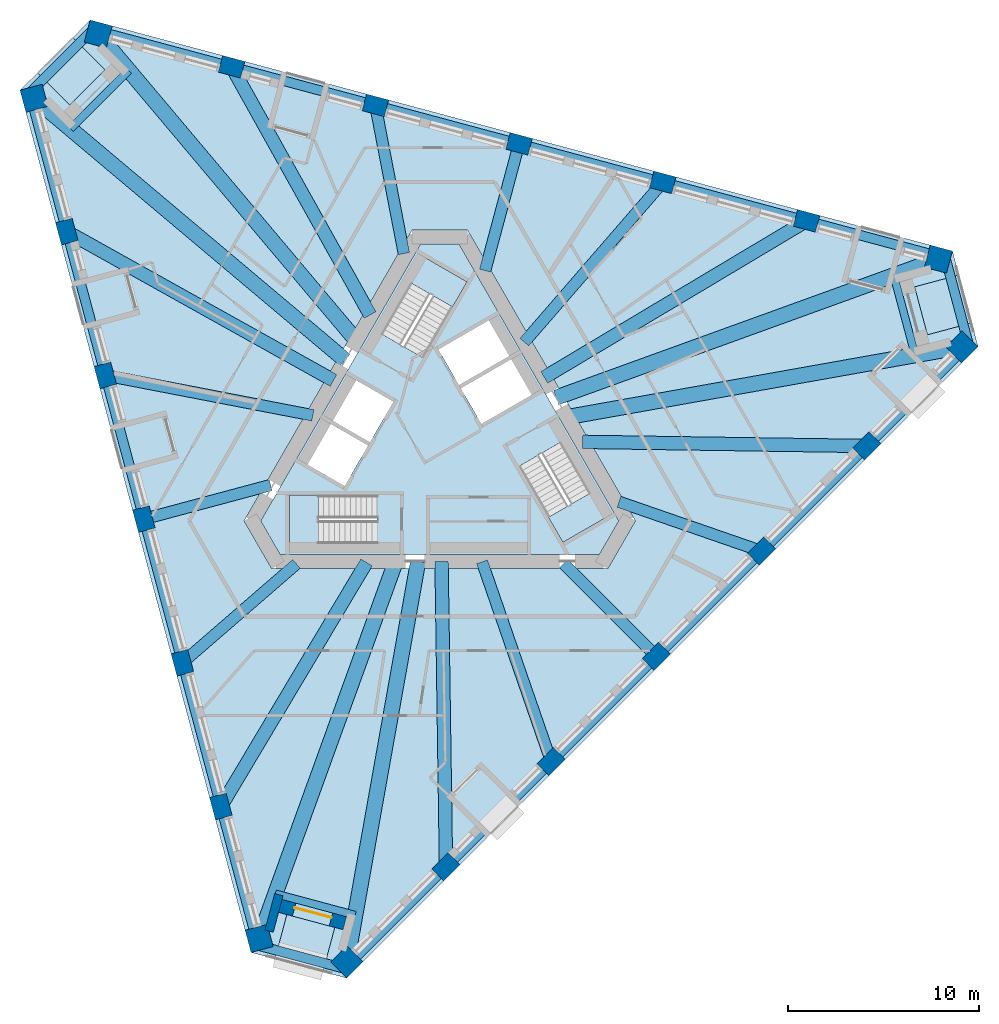
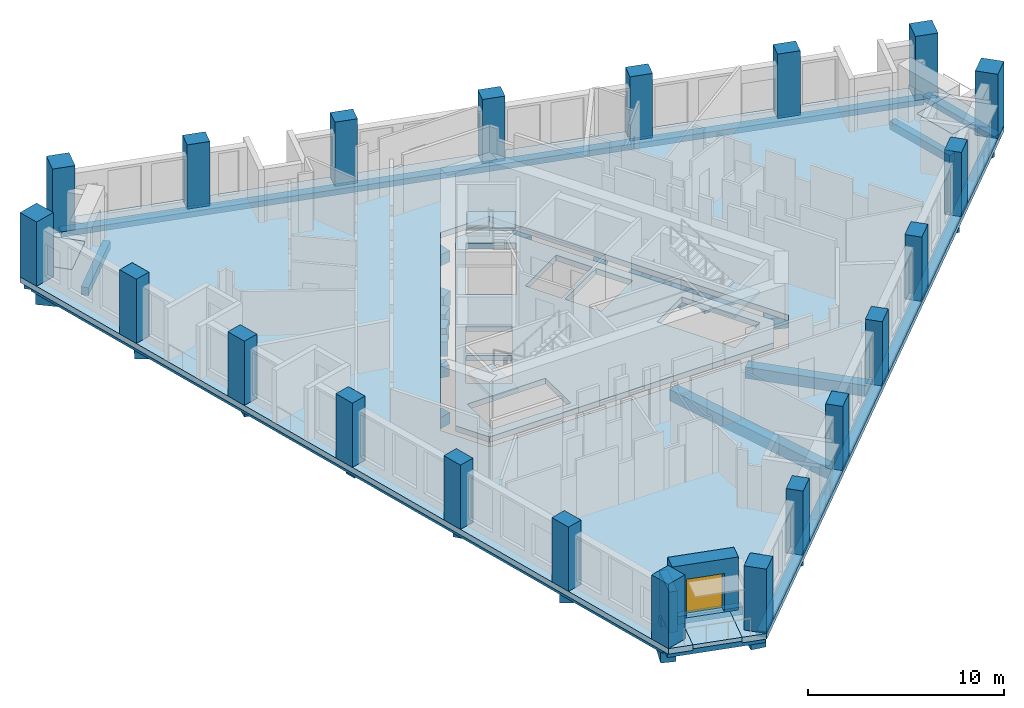
# One storey, part 1 of 13: 30 beams, 21 columns, 8 slabs, 2 walls, 1 door, 1 opening, 3 elements without a shape of their own.
"""IFC4 building model written with IfcOpenShell, lengths in metres."""

from ifc_helpers import new_model, si_unit, direction, frame, frame_2d, origin, origin_2d, place, context, subcontext, project, spatial, polyline, rectangle, outline, extrude, material, layer, layer_set, material_profile, profile_set, type_object, element, fill, aggregate, save


model = new_model("IFC4")

# Units and contexts
model_context = context("Model", 3, precision=1e-05, world=origin(), true_north=direction((0.0, 1.0)))
body_context = subcontext(model_context, "Body", "Model", "MODEL_VIEW")
ifc_project = project(units=[si_unit("LENGTHUNIT", "METRE"), si_unit("AREAUNIT", "SQUARE_METRE"), si_unit("VOLUMEUNIT", "CUBIC_METRE"), si_unit("PLANEANGLEUNIT", "RADIAN"), si_unit("MASSUNIT", "GRAM", prefix="KILO")], contexts=[model_context])

# Site, building, storey
site_placement = place(None, origin())
site = spatial("IfcSite", under=ifc_project, at=site_placement, CompositionType="ELEMENT")
building_placement = place(site_placement, origin())
building = spatial("IfcBuilding", under=site, at=building_placement, Name="Tramontana Tower", CompositionType="ELEMENT")
storey_placement = place(building_placement, frame((0.0, 0.0, 224.0)))
storey = spatial("IfcBuildingStorey", under=building, at=storey_placement, Name="L52", CompositionType="ELEMENT", Elevation=224.0)

# Columns
ifc_material_1 = material(Name="Concrete 55 MPa", Category="concrete")
ifc_material_profile_1 = material_profile(ifc_material_1, rectangle(XDim=1.199951171875, YDim=1.199951171875, at=origin_2d()), Name="Mega column 1200X1200 55 MPa")
ifc_profile_set_1 = profile_set([ifc_material_profile_1], Name="Concrete 55 MPa")
column_type_1 = type_object("IfcColumnType", Name="Mega column 1200X1200 55 MPa", PredefinedType="COLUMN", material=ifc_profile_set_1)
for number, where, z_axis, x_axis, name in (
    (1, (-21.2548828125, 17.89111328125, 0.0), (0.0, 0.0, 1.0), (0.258819045103, -0.965925826289, 0.0), "Mega column C5K1 L52"),
    (2, (-9.461669921875, -26.12158203125, 0.0), (0.0, 0.0, 1.0), (0.258819045103, -0.965925826289, 0.0), "Mega column C5K2 L52"),
    (3, (-4.86669921875, -27.352783203125, 0.0), (0.0, 0.0, 1.0), (0.707106781187, 0.707106781187, 0.0), "Mega column C5K3 L52"),
    (4, (27.352783203125, 4.86669921875, 0.0), (0.0, 0.0, 1.0), (0.707106781187, 0.707106781187, 0.0), "Mega column C5K4 L52"),
    (5, (26.12158203125, 9.461669921875, 0.0), (0.0, 0.0, 1.0), (-0.965925826289, 0.258819045103, 0.0), "Mega column C5K5 L52"),
    (6, (-17.89111328125, 21.2548828125, 0.0), (0.0, 0.0, 1.0), (-0.965925826289, 0.258819045103, 0.0), "Mega column C5K6 L52"),
):
    element("IfcColumn", number, at=place(storey_placement, frame(where, z_axis=z_axis, x_axis=x_axis)), inside=storey, type_object=column_type_1, Name=name, PredefinedType="COLUMN", context=body_context, shape_type="SweptSolid", body=[
        extrude(rectangle(XDim=1.199951171875, YDim=1.199951171875, at=origin_2d()), origin(), (0.0, 0.0, 1.0), 4.0),
    ])
ifc_material_2 = material(Name="Concrete 55 MPa", Category="concrete")
ifc_material_profile_2 = material_profile(ifc_material_2, rectangle(XDim=1.199951171875, YDim=0.89990234375, at=origin_2d()), Name="Pier column 1200X900 55 MPa")
ifc_profile_set_2 = profile_set([ifc_material_profile_2], Name="Concrete 55 MPa")
column_type_2 = type_object("IfcColumnType", Name="Pier column 1200X900 55 MPa", PredefinedType="COLUMN", material=ifc_profile_set_2)
for number, where, z_axis, x_axis, name in (
    (7, (-19.53759765625, 10.9033203125, 0.0), (0.0, 0.0, 1.0), (0.258819045103, -0.965925826289, 0.0), "Pier column C5F01 L52"),
    (8, (-17.5205078125, 3.37451171875, 0.0), (0.0, 0.0, 1.0), (0.258819045103, -0.965925826289, 0.0), "Pier column C5F02 L52"),
    (9, (-15.503173828125, -4.154052734375, 0.0), (0.0, 0.0, 1.0), (0.258819045103, -0.965925826289, 0.0), "Pier column C5F03 L52"),
    (10, (-13.48583984375, -11.6826171875, 0.0), (0.0, 0.0, 1.0), (0.258819045103, -0.965925826289, 0.0), "Pier column C5F04 L52"),
    (11, (-11.468505859375, -19.21142578125, 0.0), (0.0, 0.0, 1.0), (0.258819045103, -0.965925826289, 0.0), "Pier column C5F05 L52"),
    (12, (0.326416015625, -22.371826171875, 0.0), (0.0, 0.0, 1.0), (0.707106781187, 0.707106781187, 0.0), "Pier column C5F06 L52"),
    (13, (5.837646484375, -16.8603515625, 0.0), (0.0, 0.0, 1.0), (0.707106781187, 0.707106781187, 0.0), "Pier column C5F07 L52"),
    (14, (11.34912109375, -11.34912109375, 0.0), (0.0, 0.0, 1.0), (0.707106781187, 0.707106781187, 0.0), "Pier column C5F08 L52"),
    (15, (16.8603515625, -5.837646484375, 0.0), (0.0, 0.0, 1.0), (0.707106781187, 0.707106781187, 0.0), "Pier column C5F09 L52"),
    (16, (22.371826171875, -0.326416015625, 0.0), (0.0, 0.0, 1.0), (0.707106781187, 0.707106781187, 0.0), "Pier column C5F10 L52"),
    (17, (19.21142578125, 11.468505859375, 0.0), (0.0, 0.0, 1.0), (-0.965925826289, 0.258819045103, 0.0), "Pier column C5F11 L52"),
    (18, (11.6826171875, 13.48583984375, 0.0), (0.0, 0.0, 1.0), (-0.965925826289, 0.258819045103, 0.0), "Pier column C5F12 L52"),
    (19, (4.154052734375, 15.503173828125, 0.0), (0.0, 0.0, 1.0), (-0.965925826289, 0.258819045103, 0.0), "Pier column C5F13 L52"),
    (20, (-3.37451171875, 17.5205078125, 0.0), (0.0, 0.0, 1.0), (-0.965925826289, 0.258819045103, 0.0), "Pier column C5F14 L52"),
    (21, (-10.9033203125, 19.53759765625, 0.0), (0.0, 0.0, 1.0), (-0.965925826289, 0.258819045103, 0.0), "Pier column C5F15 L52"),
):
    element("IfcColumn", number, at=place(storey_placement, frame(where, z_axis=z_axis, x_axis=x_axis)), inside=storey, type_object=column_type_2, Name=name, PredefinedType="COLUMN", context=body_context, shape_type="SweptSolid", body=[
        extrude(rectangle(XDim=1.199951171875, YDim=0.89990234375, at=origin_2d()), origin(), (0.0, 0.0, 1.0), 4.0),
    ])

# Beams
ifc_material_3 = material(Name="Concrete 40 MPa", Category="concrete")
ifc_material_profile_3 = material_profile(ifc_material_3, rectangle(XDim=0.5, YDim=0.35009765625, at=origin_2d()), Name="RC EDGE BEAM 500X350 40 MPa")
ifc_profile_set_3 = profile_set([ifc_material_profile_3], Name="Concrete 40 MPa")
beam_type_1 = type_object("IfcBeamType", Name="RC EDGE BEAM 500X350 40 MPa", PredefinedType="SPANDREL", material=ifc_profile_set_3)
beam_1_placement = place(storey_placement, frame((-21.399658203125, 17.852294921875, -0.52490234375), z_axis=(0.25882000186, -0.965925569926, 0.0), x_axis=(0.965925569926, 0.25882000186, 0.0)))
element("IfcBeam", 22, at=beam_1_placement, inside=storey, type_object=beam_type_1, Name="Spandrel beam S0 L52", PredefinedType="SPANDREL", context=body_context, shape_type="SweptSolid", body=[
    extrude(rectangle(XDim=0.5, YDim=0.35009765625, at=origin_2d()), origin(), (0.0, 0.0, 1.0), 45.565185546875),
])
beam_2_placement = place(storey_placement, frame((-4.7607421875, -27.458984375, -0.52490234375), z_axis=(0.707106781187, 0.707106781187, 0.0), x_axis=(-0.707106781187, 0.707106781187, 0.0)))
element("IfcBeam", 23, at=beam_2_placement, inside=storey, type_object=beam_type_1, Name="Spandrel beam S1 L52", PredefinedType="SPANDREL", context=body_context, shape_type="SweptSolid", body=[
    extrude(rectangle(XDim=0.5, YDim=0.35009765625, at=origin_2d()), origin(), (0.0, 0.0, 1.0), 45.565673828125),
])
beam_3_placement = place(storey_placement, frame((26.160400390625, 9.6064453125, -0.52490234375), z_axis=(-0.965925569926, 0.25882000186, 0.0), x_axis=(-0.25882000186, -0.965925569926, 0.0)))
element("IfcBeam", 24, at=beam_3_placement, inside=storey, type_object=beam_type_1, Name="Spandrel beam S2 L52", PredefinedType="SPANDREL", context=body_context, shape_type="SweptSolid", body=[
    extrude(rectangle(XDim=0.5, YDim=0.35009765625, at=origin_2d()), origin(), (0.0, 0.0, 1.0), 45.565185546875),
])
beam_4_placement = place(storey_placement, frame((-17.997314453125, 21.67138671875, -0.52490234375), z_axis=(-0.707106781187, -0.707106781187, 0.0), x_axis=(0.707106781187, -0.707106781187, 0.0)))
element("IfcBeam", 25, at=beam_4_placement, inside=storey, type_object=beam_type_1, Name="Spandrel beam K0 L52", PredefinedType="SPANDREL", context=body_context, shape_type="SweptSolid", body=[
    extrude(rectangle(XDim=0.5, YDim=0.35009765625, at=origin_2d()), origin(), (0.0, 0.0, 1.0), 5.19580078125),
])
for number, where, z_axis, x_axis, name in (
    (26, (-9.769287109375, -26.421875, -0.52490234375), (0.965931693355, -0.258797147923, 0.0), (0.258797147923, 0.965931693355, 0.0), "Spandrel beam K1 L52"),
    (27, (27.7666015625, 4.750244140625, -0.52490234375), (-0.258797147923, 0.965931693355, 0.0), (-0.965931693355, -0.258797147923, 0.0), "Spandrel beam K2 L52"),
):
    element("IfcBeam", number, at=place(storey_placement, frame(where, z_axis=z_axis, x_axis=x_axis)), inside=storey, type_object=beam_type_1, Name=name, PredefinedType="SPANDREL", context=body_context, shape_type="SweptSolid", body=[
        extrude(rectangle(XDim=0.5, YDim=0.35009765625, at=origin_2d()), origin(), (0.0, 0.0, 1.0), 5.196044921875),
    ])
ifc_material_4 = material(Name="Concrete 40 MPa", Category="concrete")
ifc_material_profile_4 = material_profile(ifc_material_4, rectangle(XDim=0.60009765625, YDim=0.699951171875, at=origin_2d()), Name="RC GIRDER 600X700 40 MPa")
ifc_profile_set_4 = profile_set([ifc_material_profile_4], Name="Concrete 40 MPa")
beam_type_2 = type_object("IfcBeamType", Name="RC GIRDER 600X700 40 MPa", PredefinedType="BEAM", material=ifc_profile_set_4)
beam_5_placement = place(storey_placement, frame((-17.5205078125, 3.37451171875, -0.699951171875), z_axis=(0.981952314937, -0.189128663056, 0.0), x_axis=(0.189128663056, 0.981952314937, 0.0)))
element("IfcBeam", 28, at=beam_5_placement, inside=storey, type_object=beam_type_2, Name="Radial girder C5F02 L52", PredefinedType="BEAM", context=body_context, shape_type="SweptSolid", body=[
    extrude(rectangle(XDim=0.60009765625, YDim=0.699951171875, at=origin_2d()), origin(), (0.0, 0.0, 1.0), 11.074462890625),
])
beam_6_placement = place(storey_placement, frame((-15.503173828125, -4.154052734375, -0.699951171875), z_axis=(0.96592381373, 0.258826555959, 0.0), x_axis=(-0.258826555959, 0.96592381373, 0.0)))
element("IfcBeam", 29, at=beam_6_placement, inside=storey, type_object=beam_type_2, Name="Radial girder C5F03 L52", PredefinedType="BEAM", context=body_context, shape_type="SweptSolid", body=[
    extrude(rectangle(XDim=0.60009765625, YDim=0.699951171875, at=origin_2d()), origin(), (0.0, 0.0, 1.0), 6.879150390625),
])
beam_7_placement = place(storey_placement, frame((-13.48583984375, -11.6826171875, -0.699951171875), z_axis=(0.755833701345, 0.654763633619, 0.0), x_axis=(-0.654763633619, 0.755833701345, 0.0)))
element("IfcBeam", 30, at=beam_7_placement, inside=storey, type_object=beam_type_2, Name="Radial girder C5F04 L52", PredefinedType="BEAM", context=body_context, shape_type="SweptSolid", body=[
    extrude(rectangle(XDim=0.60009765625, YDim=0.699951171875, at=origin_2d()), origin(), (0.0, 0.0, 1.0), 7.908447265625),
])
beam_8_placement = place(storey_placement, frame((5.837646484375, -16.8603515625, -0.699951171875), z_axis=(-0.327178709265, 0.944962481903, 0.0), x_axis=(-0.944962481903, -0.327178709265, 0.0)))
element("IfcBeam", 31, at=beam_8_placement, inside=storey, type_object=beam_type_2, Name="Radial girder C5F07 L52", PredefinedType="BEAM", context=body_context, shape_type="SweptSolid", body=[
    extrude(rectangle(XDim=0.60009765625, YDim=0.699951171875, at=origin_2d()), origin(), (0.0, 0.0, 1.0), 11.074462890625),
])
beam_9_placement = place(storey_placement, frame((11.34912109375, -11.34912109375, -0.699951171875), z_axis=(-0.707106781187, 0.707106781187, 0.0), x_axis=(-0.707106781187, -0.707106781187, 0.0)))
element("IfcBeam", 32, at=beam_9_placement, inside=storey, type_object=beam_type_2, Name="Radial girder C5F08 L52", PredefinedType="BEAM", context=body_context, shape_type="SweptSolid", body=[
    extrude(rectangle(XDim=0.60009765625, YDim=0.699951171875, at=origin_2d()), origin(), (0.0, 0.0, 1.0), 6.879150390625),
])
beam_10_placement = place(storey_placement, frame((16.8603515625, -5.837646484375, -0.699951171875), z_axis=(-0.944964783829, 0.327172060732, 0.0), x_axis=(-0.327172060732, -0.944964783829, 0.0)))
element("IfcBeam", 33, at=beam_10_placement, inside=storey, type_object=beam_type_2, Name="Radial girder C5F09 L52", PredefinedType="BEAM", context=body_context, shape_type="SweptSolid", body=[
    extrude(rectangle(XDim=0.60009765625, YDim=0.699951171875, at=origin_2d()), origin(), (0.0, 0.0, 1.0), 7.908447265625),
])
beam_11_placement = place(storey_placement, frame((11.6826171875, 13.48583984375, -0.699951171875), z_axis=(-0.654758463957, -0.755838179689, 0.0), x_axis=(0.755838179689, -0.654758463957, 0.0)))
element("IfcBeam", 34, at=beam_11_placement, inside=storey, type_object=beam_type_2, Name="Radial girder C5F12 L52", PredefinedType="BEAM", context=body_context, shape_type="SweptSolid", body=[
    extrude(rectangle(XDim=0.60009765625, YDim=0.699951171875, at=origin_2d()), origin(), (0.0, 0.0, 1.0), 11.07421875),
])
beam_12_placement = place(storey_placement, frame((4.154052734375, 15.503173828125, -0.699951171875), z_axis=(-0.258826555959, -0.96592381373, 0.0), x_axis=(0.96592381373, -0.258826555959, 0.0)))
element("IfcBeam", 35, at=beam_12_placement, inside=storey, type_object=beam_type_2, Name="Radial girder C5F13 L52", PredefinedType="BEAM", context=body_context, shape_type="SweptSolid", body=[
    extrude(rectangle(XDim=0.60009765625, YDim=0.699951171875, at=origin_2d()), origin(), (0.0, 0.0, 1.0), 6.879150390625),
])
beam_13_placement = place(storey_placement, frame((-3.37451171875, 17.5205078125, -0.699951171875), z_axis=(0.189111876718, -0.981955547917, 0.0), x_axis=(0.981955547917, 0.189111876718, 0.0)))
element("IfcBeam", 36, at=beam_13_placement, inside=storey, type_object=beam_type_2, Name="Radial girder C5F14 L52", PredefinedType="BEAM", context=body_context, shape_type="SweptSolid", body=[
    extrude(rectangle(XDim=0.60009765625, YDim=0.699951171875, at=origin_2d()), origin(), (0.0, 0.0, 1.0), 7.90869140625),
])
ifc_material_5 = material(Name="Concrete 40 MPa", Category="concrete")
ifc_material_profile_5 = material_profile(ifc_material_5, rectangle(XDim=0.699951171875, YDim=0.89990234375, at=origin_2d()), Name="RC GIRDER 700X900 40 MPa")
ifc_profile_set_5 = profile_set([ifc_material_profile_5], Name="Concrete 40 MPa")
beam_type_3 = type_object("IfcBeamType", Name="RC GIRDER 700X900 40 MPa", PredefinedType="BEAM", material=ifc_profile_set_5)
beam_14_placement = place(storey_placement, frame((-19.53759765625, 10.9033203125, -0.800048828125), z_axis=(0.873222771741, -0.487321239956, 0.0), x_axis=(0.487321239956, 0.873222771741, 0.0)))
element("IfcBeam", 37, at=beam_14_placement, inside=storey, type_object=beam_type_3, Name="Radial girder C5F01 L52", PredefinedType="BEAM", context=body_context, shape_type="SweptSolid", body=[
    extrude(rectangle(XDim=0.699951171875, YDim=0.89990234375, at=origin_2d()), origin(), (0.0, 0.0, 1.0), 15.99853515625),
])
beam_15_placement = place(storey_placement, frame((-11.468505859375, -19.211181640625, -0.800048828125), z_axis=(0.512577256937, 0.858641109935, 0.0), x_axis=(-0.858641109935, 0.512577256937, 0.0)))
element("IfcBeam", 38, at=beam_15_placement, inside=storey, type_object=beam_type_3, Name="Radial girder C5F05 L52", PredefinedType="BEAM", context=body_context, shape_type="SweptSolid", body=[
    extrude(rectangle(XDim=0.699951171875, YDim=0.89990234375, at=origin_2d()), origin(), (0.0, 0.0, 1.0), 14.8876953125),
])
beam_16_placement = place(storey_placement, frame((0.326416015625, -22.371826171875, -0.800048828125), z_axis=(-0.014588743818, 0.999893578614, 0.0), x_axis=(-0.999893578614, -0.014588743818, 0.0)))
element("IfcBeam", 39, at=beam_16_placement, inside=storey, type_object=beam_type_3, Name="Radial girder C5F06 L52", PredefinedType="BEAM", context=body_context, shape_type="SweptSolid", body=[
    extrude(rectangle(XDim=0.699951171875, YDim=0.89990234375, at=origin_2d()), origin(), (0.0, 0.0, 1.0), 15.99853515625),
])
beam_17_placement = place(storey_placement, frame((22.371826171875, -0.326416015625, -0.800048828125), z_axis=(-0.999893489786, 0.01459483068, 0.0), x_axis=(-0.01459483068, -0.999893489786, 0.0)))
element("IfcBeam", 40, at=beam_17_placement, inside=storey, type_object=beam_type_3, Name="Radial girder C5F10 L52", PredefinedType="BEAM", context=body_context, shape_type="SweptSolid", body=[
    extrude(rectangle(XDim=0.699951171875, YDim=0.89990234375, at=origin_2d()), origin(), (0.0, 0.0, 1.0), 14.8876953125),
])
beam_18_placement = place(storey_placement, frame((19.211181640625, 11.468505859375, -0.800048828125), z_axis=(-0.858639355408, -0.512580196012, 0.0), x_axis=(0.512580196012, -0.858639355408, 0.0)))
element("IfcBeam", 41, at=beam_18_placement, inside=storey, type_object=beam_type_3, Name="Radial girder C5F11 L52", PredefinedType="BEAM", context=body_context, shape_type="SweptSolid", body=[
    extrude(rectangle(XDim=0.699951171875, YDim=0.89990234375, at=origin_2d()), origin(), (0.0, 0.0, 1.0), 15.998291015625),
])
beam_19_placement = place(storey_placement, frame((-10.9033203125, 19.53759765625, -0.800048828125), z_axis=(0.487317016809, -0.873225128548, 0.0), x_axis=(0.873225128548, 0.487317016809, 0.0)))
element("IfcBeam", 42, at=beam_19_placement, inside=storey, type_object=beam_type_3, Name="Radial girder C5F15 L52", PredefinedType="BEAM", context=body_context, shape_type="SweptSolid", body=[
    extrude(rectangle(XDim=0.699951171875, YDim=0.89990234375, at=origin_2d()), origin(), (0.0, 0.0, 1.0), 14.887939453125),
])
ifc_material_6 = material(Name="Concrete 40 MPa", Category="concrete")
ifc_material_profile_6 = material_profile(ifc_material_6, rectangle(XDim=0.800048828125, YDim=1.10009765625, at=origin_2d()), Name="RC GIRDER 800X1100 40 MPa")
ifc_profile_set_6 = profile_set([ifc_material_profile_6], Name="Concrete 40 MPa")
beam_type_4 = type_object("IfcBeamType", Name="RC GIRDER 800X1100 40 MPa", PredefinedType="BEAM", material=ifc_profile_set_6)
beam_20_placement = place(storey_placement, frame((-21.2548828125, 17.89111328125, -0.89990234375), z_axis=(0.765048789766, -0.643972320273, 0.0), x_axis=(0.643972320273, 0.765048789766, 0.0)))
element("IfcBeam", 43, at=beam_20_placement, inside=storey, type_object=beam_type_4, Name="Radial girder C5K1 L52", PredefinedType="BEAM", context=body_context, shape_type="SweptSolid", body=[
    extrude(rectangle(XDim=0.800048828125, YDim=1.10009765625, at=origin_2d()), origin(), (0.0, 0.0, 1.0), 21.301513671875),
])
beam_21_placement = place(storey_placement, frame((-9.461669921875, -26.12158203125, -0.89990234375), z_axis=(0.340569160695, 0.94021946735, 0.0), x_axis=(-0.94021946735, 0.340569160695, 0.0)))
element("IfcBeam", 44, at=beam_21_placement, inside=storey, type_object=beam_type_4, Name="Radial girder C5K2 L52", PredefinedType="BEAM", context=body_context, shape_type="SweptSolid", body=[
    extrude(rectangle(XDim=0.800048828125, YDim=1.10009765625, at=origin_2d()), origin(), (0.0, 0.0, 1.0), 20.978271484375),
])
beam_22_placement = place(storey_placement, frame((-4.86669921875, -27.352783203125, -0.89990234375), z_axis=(0.175174555483, 0.984537391424, 0.0), x_axis=(-0.984537391424, 0.175174555483, 0.0)))
element("IfcBeam", 45, at=beam_22_placement, inside=storey, type_object=beam_type_4, Name="Radial girder C5K3 L52", PredefinedType="BEAM", context=body_context, shape_type="SweptSolid", body=[
    extrude(rectangle(XDim=0.800048828125, YDim=1.10009765625, at=origin_2d()), origin(), (0.0, 0.0, 1.0), 21.30126953125),
])
beam_23_placement = place(storey_placement, frame((27.352783203125, 4.86669921875, -0.89990234375), z_axis=(-0.984537718073, -0.175172719597, 0.0), x_axis=(0.175172719597, -0.984537718073, 0.0)))
element("IfcBeam", 46, at=beam_23_placement, inside=storey, type_object=beam_type_4, Name="Radial girder C5K4 L52", PredefinedType="BEAM", context=body_context, shape_type="SweptSolid", body=[
    extrude(rectangle(XDim=0.800048828125, YDim=1.10009765625, at=origin_2d()), origin(), (0.0, 0.0, 1.0), 20.978271484375),
])
beam_24_placement = place(storey_placement, frame((26.12158203125, 9.461669921875, -0.89990234375), z_axis=(-0.940223018737, -0.340559356113, 0.0), x_axis=(0.340559356113, -0.940223018737, 0.0)))
element("IfcBeam", 47, at=beam_24_placement, inside=storey, type_object=beam_type_4, Name="Radial girder C5K5 L52", PredefinedType="BEAM", context=body_context, shape_type="SweptSolid", body=[
    extrude(rectangle(XDim=0.800048828125, YDim=1.10009765625, at=origin_2d()), origin(), (0.0, 0.0, 1.0), 21.301513671875),
])
beam_25_placement = place(storey_placement, frame((-17.89111328125, 21.2548828125, -0.89990234375), z_axis=(0.643976971362, -0.765044874733, 0.0), x_axis=(0.765044874733, 0.643976971362, 0.0)))
element("IfcBeam", 48, at=beam_25_placement, inside=storey, type_object=beam_type_4, Name="Radial girder C5K6 L52", PredefinedType="BEAM", context=body_context, shape_type="SweptSolid", body=[
    extrude(rectangle(XDim=0.800048828125, YDim=1.10009765625, at=origin_2d()), origin(), (0.0, 0.0, 1.0), 20.978271484375),
])
ifc_material_7 = material(Name="Concrete 40 MPa", Category="concrete")
ifc_material_profile_7 = material_profile(ifc_material_7, rectangle(XDim=0.39990234375, YDim=0.5, at=origin_2d()), Name="RC TRIM BEAM 400X500 40 MPa")
ifc_profile_set_7 = profile_set([ifc_material_profile_7], Name="Concrete 40 MPa")
beam_type_5 = type_object("IfcBeamType", Name="RC TRIM BEAM 400X500 40 MPa", PredefinedType="JOIST", material=ifc_profile_set_7)
beam_26_placement = place(storey_placement, frame((-16.2880859375, 19.35009765625, -0.60009765625), z_axis=(-0.707106781187, -0.707106781187, 0.0), x_axis=(0.707106781187, -0.707106781187, 0.0)))
element("IfcBeam", 49, at=beam_26_placement, inside=storey, type_object=beam_type_5, Name="Trimmer beam K0 L52", PredefinedType="JOIST", context=body_context, shape_type="SweptSolid", body=[
    extrude(rectangle(XDim=0.39990234375, YDim=0.5, at=origin_2d()), origin(), (0.0, 0.0, 1.0), 4.330322265625),
])
for number, where, z_axis, x_axis, name in (
    (50, (-8.61376953125, -23.781005859375, -0.60009765625), (0.965926410656, -0.258816864207, 0.0), (0.258816864207, 0.965926410656, 0.0), "Trimmer beam K1 L52"),
    (51, (24.90185546875, 4.4306640625, -0.60009765625), (-0.258816864207, 0.965926410656, 0.0), (-0.965926410656, -0.258816864207, 0.0), "Trimmer beam K2 L52"),
):
    element("IfcBeam", number, at=place(storey_placement, frame(where, z_axis=z_axis, x_axis=x_axis)), inside=storey, type_object=beam_type_5, Name=name, PredefinedType="JOIST", context=body_context, shape_type="SweptSolid", body=[
        extrude(rectangle(XDim=0.39990234375, YDim=0.5, at=origin_2d()), origin(), (0.0, 0.0, 1.0), 4.33056640625),
    ])

# Slabs
ifc_material_8 = material(Name="Precast concrete 50 MPa", Category="concrete")
ifc_layer_1 = layer(ifc_material_8, 0.25)
ifc_layer_set_1 = layer_set([ifc_layer_1], Name="LT1 Loggia floor tray 250")
slab_type_1 = type_object("IfcSlabType", Name="LT1 Loggia floor tray 250", PredefinedType="FLOOR", material=ifc_layer_set_1)
slab_1_placement = place(storey_placement, frame((0.0, 0.0, -0.25)))
element("IfcSlab", 52, at=slab_1_placement, inside=storey, type_object=slab_type_1, Name="Corner loggia floor L52 K50", PredefinedType="FLOOR", context=body_context, shape_type="SweptSolid", body=[
    extrude(outline(polyline([(-19.2333984375, 21.07177734375), (-17.5361328125, 19.374755859375), (-19.374755859375, 17.5361328125), (-21.07177734375, 19.2333984375), (-19.2333984375, 21.07177734375)])), origin(), (0.0, 0.0, 1.0), 0.25),
])
slab_2_placement = place(storey_placement, frame((0.0, 0.0, -0.25)))
element("IfcSlab", 53, at=slab_2_placement, inside=storey, type_object=slab_type_1, Name="Corner loggia floor L52 K51", PredefinedType="FLOOR", context=body_context, shape_type="SweptSolid", body=[
    extrude(outline(polyline([(-8.632080078125, -27.1923828125), (-8.010986328125, -24.874267578125), (-5.49951171875, -25.547119140625), (-6.12060546875, -27.865234375), (-8.632080078125, -27.1923828125)])), origin(), (0.0, 0.0, 1.0), 0.25),
])
slab_3_placement = place(storey_placement, frame((0.0, 0.0, -0.25)))
element("IfcSlab", 54, at=slab_3_placement, inside=storey, type_object=slab_type_1, Name="Corner loggia floor L52 K52", PredefinedType="FLOOR", context=body_context, shape_type="SweptSolid", body=[
    extrude(outline(polyline([(27.865234375, 6.12060546875), (25.547119140625, 5.49951171875), (24.874267578125, 8.010986328125), (27.1923828125, 8.632080078125), (27.865234375, 6.12060546875)])), origin(), (0.0, 0.0, 1.0), 0.25),
])
ifc_material_9 = material(Name="Concrete 40 MPa", Category="concrete")
ifc_layer_2 = layer(ifc_material_9, 0.35009765625)
ifc_layer_set_2 = layer_set([ifc_layer_2], Name="PT FLAT SLAB 350 40 MPa")
slab_type_2 = type_object("IfcSlabType", Name="PT FLAT SLAB 350 40 MPa", PredefinedType="FLOOR", material=ifc_layer_set_2)
slab_4_placement = place(storey_placement, frame((0.0, 0.0, -0.35009765625)))
element("IfcSlab", 55, at=slab_4_placement, inside=storey, type_object=slab_type_2, Name="Floor slab L52", PredefinedType="FLOOR", context=body_context, shape_type="SweptSolid", body=[
    extrude(outline(polyline([(27.1923828125, 8.632080078125), (24.874267578125, 8.010986328125), (25.547119140625, 5.49951171875), (27.865478515625, 6.12060546875), (28.201416015625, 4.86669921875), (-4.86669921875, -28.201416015625), (-6.12060546875, -27.865478515625), (-5.49951171875, -25.547119140625), (-8.010986328125, -24.874267578125), (-8.632080078125, -27.1923828125), (-9.885986328125, -26.8564453125), (-21.98974609375, 18.3154296875), (-21.07177734375, 19.2333984375), (-19.374755859375, 17.5361328125), (-17.5361328125, 19.374755859375), (-19.2333984375, 21.07177734375), (-18.3154296875, 21.98974609375), (26.8564453125, 9.885986328125), (27.1923828125, 8.632080078125)]), holes=[polyline([(-10.248046875, -4.25), (-8.8046875, -6.75), (8.8046875, -6.75), (10.248046875, -4.25), (1.443359375, 11.0), (-1.443359375, 11.0), (-10.248046875, -4.25)])]), origin(), (0.0, 0.0, 1.0), 0.35009765625),
])
slab_5_placement = place(storey_placement, frame((0.0, 0.0, -0.35009765625)))
element("IfcSlab", 56, at=slab_5_placement, inside=storey, type_object=slab_type_2, Name="Core floor slab L52", PredefinedType="FLOOR", context=body_context, shape_type="SweptSolid", body=[
    extrude(outline(polyline([(9.3818359375, -4.25), (8.37158203125, -6.0), (-8.37158203125, -6.0), (-9.3818359375, -4.25), (-1.010498046875, 10.25), (1.010498046875, 10.25), (9.3818359375, -4.25)]), holes=[polyline([(8.659912109375, -4.099365234375), (6.35986328125, -0.115478515625), (4.151611328125, -1.390625), (6.451416015625, -5.374267578125), (8.659912109375, -4.099365234375)]), polyline([(3.829833984375, 4.2666015625), (1.101806640625, 2.69140625), (2.177001953125, 0.82958984375), (4.90478515625, 2.404541015625), (3.829833984375, 4.2666015625)]), polyline([(2.65478515625, 6.3017578125), (-0.072998046875, 4.726806640625), (1.001953125, 2.86474609375), (3.729736328125, 4.439697265625), (2.65478515625, 6.3017578125)]), polyline([(-0.77978515625, 9.54931640625), (-3.079833984375, 5.565673828125), (-0.87158203125, 4.29052734375), (1.428466796875, 8.2744140625), (-0.77978515625, 9.54931640625)]), polyline([(-5.689697265625, 1.044921875), (-3.65478515625, -0.130126953125), (-2.4296875, 1.99169921875), (-4.46484375, 3.166748046875), (-5.689697265625, 1.044921875)]), polyline([(-3.280029296875, -5.449951171875), (-3.280029296875, -2.89990234375), (-7.8798828125, -2.89990234375), (-7.8798828125, -5.449951171875), (-3.280029296875, -5.449951171875)]), polyline([(-7.014892578125, -1.25), (-4.979736328125, -2.425048828125), (-3.754638671875, -0.30322265625), (-5.789794921875, 0.87158203125), (-7.014892578125, -1.25)])]), origin(), (0.0, 0.0, 1.0), 0.35009765625),
])

# Stair, slab
ifc_material_10 = material(Name="Concrete 40 MPa", Category="concrete")
stair_type = type_object("IfcStairType", Name="EXIT STAIR 24 RISERS", PredefinedType="HALF_TURN_STAIR", material=ifc_material_10)
stair_1_placement = place(storey_placement, origin())
stair_1 = element("IfcStair", 57, at=stair_1_placement, inside=storey, type_object=stair_type, Name="L52 Exit stair ST1", PredefinedType="HALF_TURN_STAIR")
ifc_material_11 = material(Name="Concrete 40 MPa", Category="concrete")
ifc_layer_3 = layer(ifc_material_11, 0.199951171875)
ifc_layer_set_3 = layer_set([ifc_layer_3], Name="STAIR LANDING 200")
slab_type_3 = type_object("IfcSlabType", Name="STAIR LANDING 200", PredefinedType="LANDING", material=ifc_layer_set_3)
slab_6_placement = place(storey_placement, frame((0.0, 0.0, 1.800048828125)))
slab_6 = element("IfcSlab", 58, at=slab_6_placement, type_object=slab_type_3, Name="ST1 landing 1", PredefinedType="LANDING", context=body_context, shape_type="SweptSolid", body=[
    extrude(outline(polyline([(0.66845703125, 6.9580078125), (1.428466796875, 8.274169921875), (-0.77978515625, 9.54931640625), (-1.539794921875, 8.23291015625), (0.66845703125, 6.9580078125)])), origin(), (0.0, 0.0, 1.0), 0.199951171875),
])
aggregate(stair_1, [slab_6])

stair_2_placement = place(storey_placement, origin())
stair_2 = element("IfcStair", 59, at=stair_2_placement, inside=storey, type_object=stair_type, Name="L52 Exit stair ST2", PredefinedType="HALF_TURN_STAIR")
slab_7_placement = place(storey_placement, frame((0.0, 0.0, 1.800048828125)))
slab_7 = element("IfcSlab", 60, at=slab_7_placement, type_object=slab_type_3, Name="ST2 landing 1", PredefinedType="LANDING", context=body_context, shape_type="SweptSolid", body=[
    extrude(outline(polyline([(-6.360107421875, -2.89990234375), (-7.8798828125, -2.89990234375), (-7.8798828125, -5.449951171875), (-6.360107421875, -5.449951171875), (-6.360107421875, -2.89990234375)])), origin(), (0.0, 0.0, 1.0), 0.199951171875),
])
aggregate(stair_2, [slab_7])

stair_3_placement = place(storey_placement, origin())
stair_3 = element("IfcStair", 61, at=stair_3_placement, inside=storey, type_object=stair_type, Name="L52 Exit stair ST3", PredefinedType="HALF_TURN_STAIR")
slab_8_placement = place(storey_placement, frame((0.0, 0.0, 1.800048828125)))
slab_8 = element("IfcSlab", 62, at=slab_8_placement, type_object=slab_type_3, Name="ST3 landing 1", PredefinedType="LANDING", context=body_context, shape_type="SweptSolid", body=[
    extrude(outline(polyline([(5.69140625, -4.057861328125), (6.451416015625, -5.374267578125), (8.659912109375, -4.099365234375), (7.89990234375, -2.782958984375), (5.69140625, -4.057861328125)])), origin(), (0.0, 0.0, 1.0), 0.199951171875),
])
aggregate(stair_3, [slab_8])

# Wall
ifc_material_12 = material(Name="Precast concrete 60 MPa", Category="concrete")
ifc_layer_4 = layer(ifc_material_12, 0.449951171875)
ifc_layer_set_4 = layer_set([ifc_layer_4], Name="Precast concrete 60 MPa, 450 mm")
wall_type_1 = type_object("IfcWallType", Name="EW1 Stone-faced precast wall 450", PredefinedType="SOLIDWALL", material=ifc_layer_set_4)
wall_1_placement = place(storey_placement, frame((-8.942138671875, -25.741943359375, 0.0), z_axis=(0.0, 0.0, 1.0), x_axis=(0.258783354109, 0.965935388955, 0.0)))
element("IfcWall", 63, at=wall_1_placement, inside=storey, type_object=wall_type_1, Name="Corner loggia side wall L52 K51r", PredefinedType="SOLIDWALL", context=body_context, shape_type="SweptSolid", body=[
    extrude(rectangle(XDim=1.979248046875, YDim=0.449951171875, at=frame_2d((0.98974609375, 0.0))), origin(), (0.0, 0.0, 1.0), 2.550048828125),
])

# Wall, opening, door
ifc_material_13 = material(Name="Precast concrete 60 MPa", Category="concrete")
ifc_layer_5 = layer(ifc_material_13, 0.89990234375)
ifc_layer_set_5 = layer_set([ifc_layer_5], Name="EW2 Stone-faced corner loggia wall 900")
wall_type_2 = type_object("IfcWallType", Name="EW2 Stone-faced corner loggia wall 900", PredefinedType="SOLIDWALL", material=ifc_layer_set_5)
wall_2_placement = place(storey_placement, frame((-4.9482421875, -25.22900390625, 0.0), z_axis=(0.0, 0.0, 1.0), x_axis=(-0.965918160473, 0.258847652622, 0.0)))
wall_2 = element("IfcWall", 64, at=wall_2_placement, inside=storey, type_object=wall_type_2, Name="Corner loggia wall L52 K51", PredefinedType="SOLIDWALL", context=body_context, shape_type="SweptSolid", body=[
    extrude(rectangle(XDim=3.500244140625, YDim=0.89990234375, at=frame_2d((1.75, 0.0))), origin(), (0.0, 0.0, 1.0), 3.300048828125),
])
opening_placement = place(wall_2_placement, frame((0.75, 0.0, 0.0)))
opening = element("IfcOpeningElement", 65, at=opening_placement, cuts=wall_2, Name="Opening BD-51C", PredefinedType="OPENING", context=body_context, shape_type="SweptSolid", body=[
    extrude(rectangle(XDim=2.0, YDim=2.39990234375, at=frame_2d((1.0, 1.199951171875))), frame((0.0, 0.4599609375, 0.0), z_axis=(0.0, -1.0, 0.0), x_axis=(1.0, 0.0, 0.0)), (0.0, 0.0, 1.0), 0.919921875),
])
ifc_material_14 = material(Name="Aluminum frame, double glazing unit", Category="aluminium")
door_type = type_object("IfcDoorType", Name="BC1 Sliding door 2 x 2.4", OperationType="SLIDING_TO_LEFT", PredefinedType="DOOR", material=ifc_material_14)
door_placement = place(opening_placement, origin())
door = element("IfcDoor", 66, at=door_placement, inside=storey, type_object=door_type, Name="Corner loggia door L52 K51", OperationType="SLIDING_TO_LEFT", OverallHeight=2.39990234375, OverallWidth=2.0, PredefinedType="DOOR", context=body_context, shape_type="SweptSolid", body=[
    extrude(rectangle(XDim=2.0, YDim=2.39990234375, at=frame_2d((1.0, 1.199951171875))), frame((0.0, 0.02490234375, 0.0), z_axis=(0.0, -1.0, 0.0), x_axis=(1.0, 0.0, 0.0)), (0.0, 0.0, 1.0), 0.050048828125),
])
fill(opening, door)

save(model, "model.ifc")
